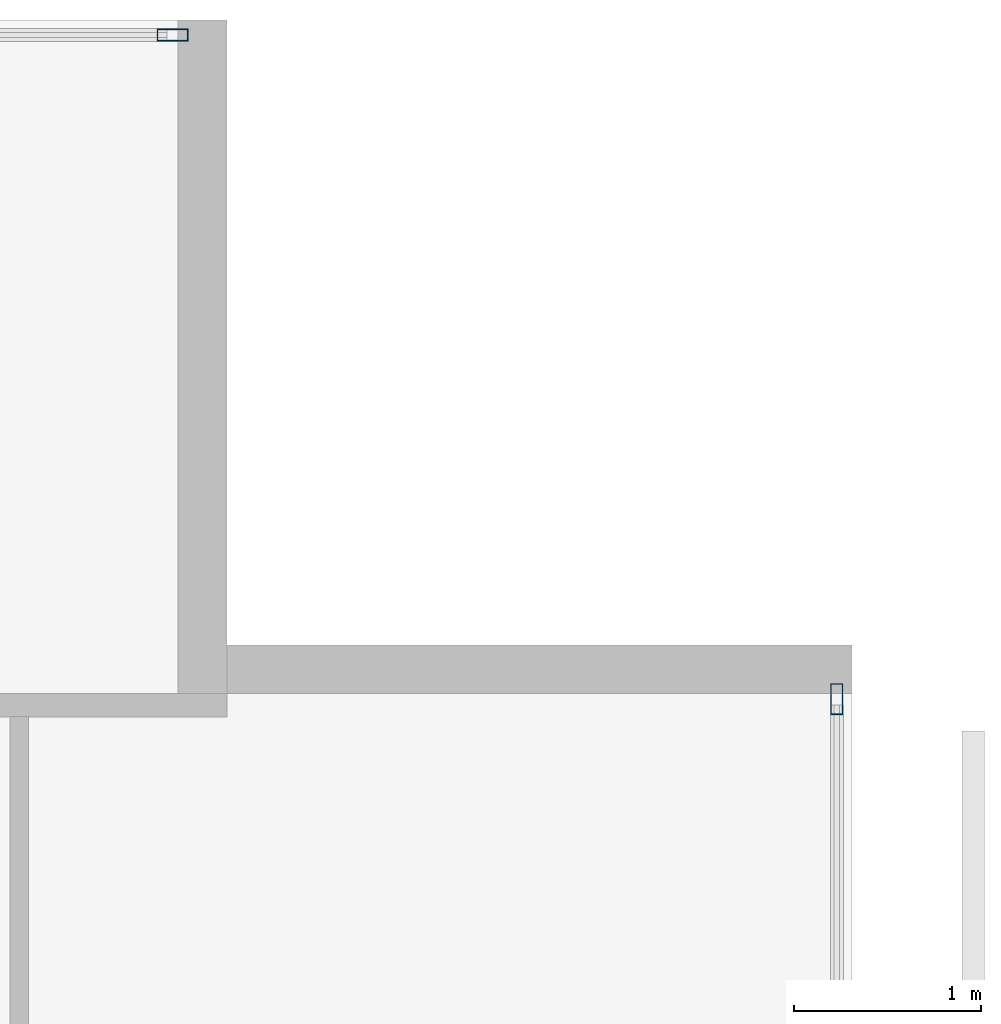
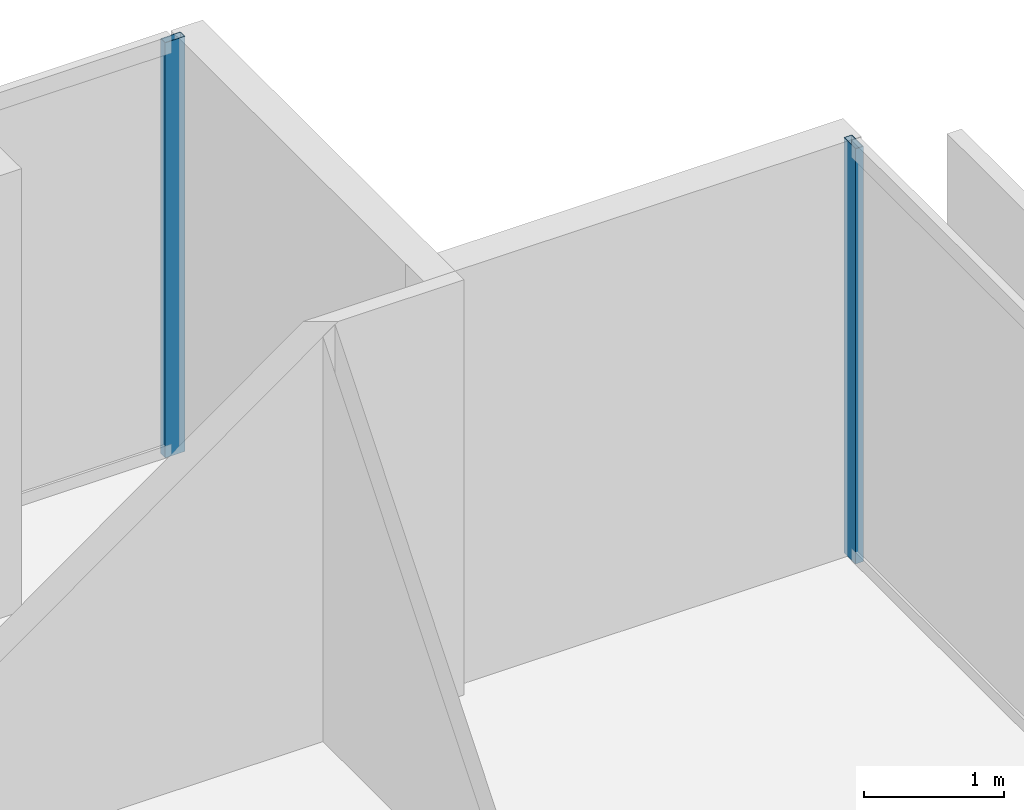
# One storey, part 31 of 40: 2 members, 2 elements without a shape of their own.
"""IFC4 building model written with IfcOpenShell, lengths in metres."""

from ifc_helpers import new_model, si_unit, direction, frame, origin, origin_2d, place, context, subcontext, project, spatial, hollow_rectangle, extrude, material, layer, layer_set, material_profile, profile_set, type_object, element, aggregate, save


model = new_model("IFC4")

# Units and contexts
model_context = context("Model", 3, precision=1e-05, world=origin(), true_north=direction((0.0, 1.0)))
body_context = subcontext(model_context, "Body", "Model", "MODEL_VIEW")
ifc_project = project(units=[si_unit("LENGTHUNIT", "METRE"), si_unit("AREAUNIT", "SQUARE_METRE"), si_unit("VOLUMEUNIT", "CUBIC_METRE"), si_unit("PLANEANGLEUNIT", "RADIAN"), si_unit("MASSUNIT", "GRAM", prefix="KILO")], contexts=[model_context])

# Site, building, storey
site_placement = place(None, origin())
site = spatial("IfcSite", under=ifc_project, at=site_placement, CompositionType="ELEMENT")
building_placement = place(site_placement, origin())
building = spatial("IfcBuilding", under=site, at=building_placement, Name="Maruvema Waterfront Hotel and Observation Tower", CompositionType="ELEMENT")
storey_placement = place(building_placement, frame((0.0, 0.0, 53.89990234375)))
storey = spatial("IfcBuildingStorey", under=building, at=storey_placement, Name="L12", CompositionType="ELEMENT", Elevation=53.89990234375)

# Curtain wall, member
ifc_material_1 = material(Name="Anodised bronze aluminium and solar-control low-E IGU", Category="aluminium")
ifc_layer = layer(ifc_material_1, 0.159912109375, Name="Zone 1 Bronze Inner Thermal Curtain Wall System CW-02")
ifc_layer_set = layer_set([ifc_layer], Name="Anodised bronze aluminium and solar-control low-E IGU")
curtain_wall_type = type_object("IfcCurtainWallType", Name="Zone 1 Bronze Inner Thermal Curtain Wall System CW-02", PredefinedType="USERDEFINED", material=ifc_layer_set)
curtain_wall_1_placement = place(storey_placement, origin())
curtain_wall_1 = element("IfcCurtainWall", 1, at=curtain_wall_1_placement, inside=storey, type_object=curtain_wall_type, Name="L12 Curtain Wall CW-L12-E", ObjectType="UNITISED CURTAIN WALL", PredefinedType="USERDEFINED")
ifc_material_2 = material(Name="Anodised architectural bronze aluminium", Category="aluminium")
ifc_material_profile = material_profile(ifc_material_2, hollow_rectangle(XDim=0.06494140625, YDim=0.1650390625, WallThickness=0.00390625, at=origin_2d()), Name="ALU-M65x165")
ifc_profile_set = profile_set([ifc_material_profile], Name="Anodised architectural bronze aluminium")
member_type = type_object("IfcMemberType", Name="Curtain Wall Primary Mullion ALU-M65x165", PredefinedType="MULLION", material=ifc_profile_set)
member_1_placement = place(storey_placement, frame((64.719970703125, 50.3701171875, 0.0), z_axis=(0.0, 0.0, 1.0), x_axis=(-1.0, 0.0, 0.0)))
member_1 = element("IfcMember", 2, at=member_1_placement, type_object=member_type, Name="CW-02 mullion 7", PredefinedType="MULLION", context=body_context, shape_type="SweptSolid", body=[
    extrude(hollow_rectangle(XDim=0.06494140625, YDim=0.1650390625, WallThickness=0.00390625, at=origin_2d()), origin(), (0.0, 0.0, 1.0), 3.610107421875),
])
aggregate(curtain_wall_1, [member_1])

curtain_wall_2_placement = place(storey_placement, origin())
curtain_wall_2 = element("IfcCurtainWall", 3, at=curtain_wall_2_placement, inside=storey, type_object=curtain_wall_type, Name="L12 Curtain Wall CW-L12-NE", ObjectType="UNITISED CURTAIN WALL", PredefinedType="USERDEFINED")
member_2_placement = place(storey_placement, frame((61.169921875, 53.919921875, 0.0), z_axis=(0.0, 0.0, 1.0), x_axis=(0.0, -1.0, 0.0)))
member_2 = element("IfcMember", 4, at=member_2_placement, type_object=member_type, Name="CW-02 mullion 1", PredefinedType="MULLION", context=body_context, shape_type="SweptSolid", body=[
    extrude(hollow_rectangle(XDim=0.06494140625, YDim=0.1650390625, WallThickness=0.00390625, at=origin_2d()), origin(), (0.0, 0.0, 1.0), 3.610107421875),
])
aggregate(curtain_wall_2, [member_2])

save(model, "model.ifc")
